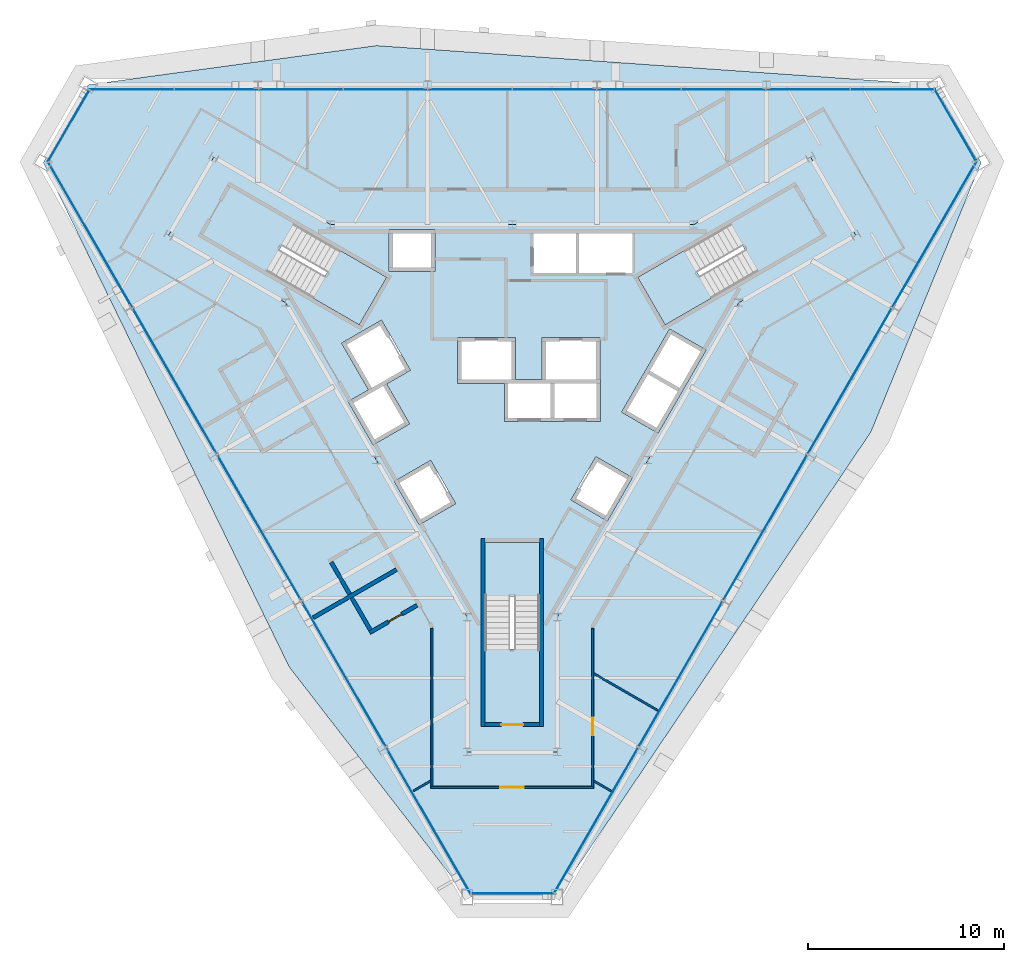
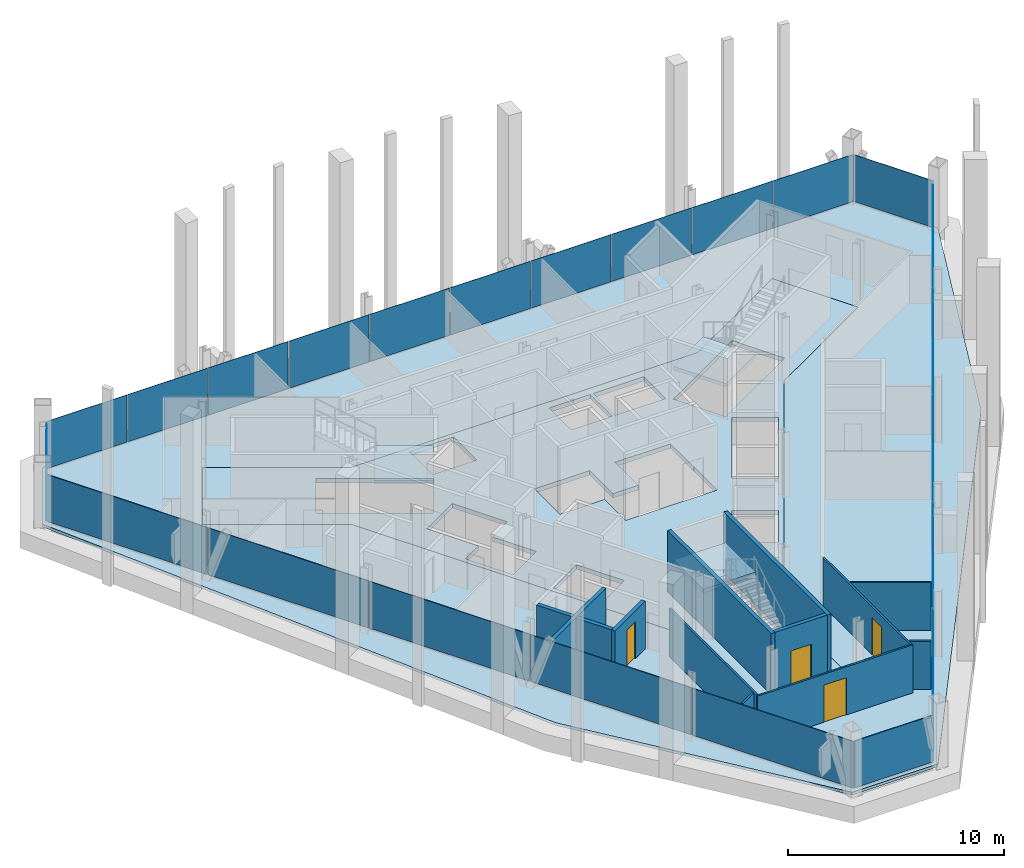
# One storey, part 8 of 14: 23 plates, 13 walls, 5 slabs, 4 doors, 4 openings, 9 elements without a shape of their own.
"""IFC4 building model written with IfcOpenShell, lengths in metres."""

from ifc_helpers import new_model, si_unit, direction, frame, frame_2d, origin, origin_2d, place, context, subcontext, project, spatial, polyline, rectangle, outline, extrude, material, layer, layer_set, type_object, element, fill, aggregate, save


model = new_model("IFC4")

# Units and contexts
model_context = context("Model", 3, precision=1e-05, world=origin(), true_north=direction((0.0, 1.0)))
body_context = subcontext(model_context, "Body", "Model", "MODEL_VIEW")
ifc_project = project(units=[si_unit("LENGTHUNIT", "METRE"), si_unit("AREAUNIT", "SQUARE_METRE"), si_unit("VOLUMEUNIT", "CUBIC_METRE"), si_unit("PLANEANGLEUNIT", "RADIAN"), si_unit("MASSUNIT", "GRAM", prefix="KILO")], contexts=[model_context])

# Site, building, storey
site_placement = place(None, origin())
site = spatial("IfcSite", under=ifc_project, at=site_placement, CompositionType="ELEMENT")
building_placement = place(site_placement, origin())
building = spatial("IfcBuilding", under=site, at=building_placement, Name="Verrane Prism Tower", CompositionType="ELEMENT")
storey_placement = place(building_placement, frame((0.0, 0.0, 206.39990234375)))
storey = spatial("IfcBuildingStorey", under=building, at=storey_placement, Name="L51", CompositionType="ELEMENT", Elevation=206.39990234375)

# Slabs
ifc_material_1 = material(Name="Concrete C35/45", Category="concrete")
ifc_layer_1 = layer(ifc_material_1, 0.159912109375)
ifc_layer_set_1 = layer_set([ifc_layer_1], Name="Composite floor slab")
slab_type_1 = type_object("IfcSlabType", Name="Composite floor slab", PredefinedType="FLOOR", material=ifc_layer_set_1)
slab_1_placement = place(storey_placement, frame((0.0, 0.0, -0.159912109375)))
element("IfcSlab", 1, at=slab_1_placement, inside=storey, type_object=slab_type_1, Name="Floor slab L51", PredefinedType="FLOOR", context=body_context, shape_type="SweptSolid", body=[
    extrude(outline(polyline([(18.294921875, -2.572509765625), (2.291015625, -26.2919921875), (-2.291015625, -26.2919921875), (-11.375244140625, -14.5576171875), (-23.914794921875, 11.161865234375), (-21.623779296875, 15.1298828125), (-6.919677734375, 17.1298828125), (21.623779296875, 15.1298828125), (23.914794921875, 11.161865234375), (18.294921875, -2.572509765625)]), holes=[polyline([(17.52001953125, 7.4599609375), (15.219970703125, 11.43994140625), (9.260009765625, 8.0), (0.0, 8.0), (-9.260009765625, 8.0), (-15.219970703125, 11.43994140625), (-17.52001953125, 7.4599609375), (-11.56005859375, 4.02001953125), (-6.929931640625, -4.0), (-2.300048828125, -12.02001953125), (-2.300048828125, -18.89990234375), (2.300048828125, -18.89990234375), (2.300048828125, -12.02001953125), (6.929931640625, -4.0), (11.56005859375, 4.02001953125), (17.52001953125, 7.4599609375)])]), origin(), (0.0, 0.0, 1.0), 0.159912109375),
])
ifc_material_2 = material(Name="Concrete C40/50", Category="concrete")
ifc_layer_2 = layer(ifc_material_2, 0.25)
ifc_layer_set_2 = layer_set([ifc_layer_2], Name="Core floor slab 250 concrete C40/50")
slab_type_2 = type_object("IfcSlabType", Name="Core floor slab 250 concrete C40/50", PredefinedType="FLOOR", material=ifc_layer_set_2)
slab_2_placement = place(storey_placement, frame((0.0, 0.0, -0.25)))
element("IfcSlab", 2, at=slab_2_placement, inside=storey, type_object=slab_type_2, Name="Core floor L51", PredefinedType="FLOOR", context=body_context, shape_type="SweptSolid", body=[
    extrude(outline(polyline([(11.56005859375, 4.02001953125), (17.52001953125, 7.4599609375), (15.219970703125, 11.43994140625), (9.260009765625, 8.0), (0.0, 8.0), (-9.260009765625, 8.0), (-15.219970703125, 11.43994140625), (-17.52001953125, 7.4599609375), (-11.56005859375, 4.02001953125), (-6.929931640625, -4.0), (-2.300048828125, -12.02001953125), (-2.300048828125, -18.89990234375), (2.300048828125, -18.89990234375), (2.300048828125, -12.02001953125), (6.929931640625, -4.0), (11.56005859375, 4.02001953125)]), holes=[polyline([(1.39990234375, -8.199951171875), (1.39990234375, -13.639892578125), (-1.39990234375, -13.639892578125), (-1.39990234375, -8.199951171875), (1.39990234375, -8.199951171875)]), polyline([(-2.881103515625, -6.22998046875), (-4.742919921875, -7.304931640625), (-6.01806640625, -5.096923828125), (-4.156005859375, -4.02197265625), (-2.881103515625, -6.22998046875)]), polyline([(-7.801025390625, 2.887939453125), (-12.512939453125, 5.60791015625), (-11.113037109375, 8.031982421875), (-6.40087890625, 5.31201171875), (-7.801025390625, 2.887939453125)]), polyline([(-6.284912109375, 5.610107421875), (-6.284912109375, 7.760009765625), (-3.93505859375, 7.760009765625), (-3.93505859375, 5.610107421875), (-6.284912109375, 5.610107421875)]), polyline([(4.26611328125, -3.8310546875), (6.1279296875, -4.906005859375), (4.85302734375, -7.114990234375), (2.990966796875, -6.0400390625), (4.26611328125, -3.8310546875)]), polyline([(7.43798828125, -2.636962890625), (5.575927734375, -1.56201171875), (8.02587890625, 2.680908203125), (9.887939453125, 1.60595703125), (7.43798828125, -2.636962890625)]), polyline([(0.1650390625, 0.10009765625), (1.52490234375, 0.10009765625), (1.52490234375, 2.25), (4.47509765625, 2.25), (4.47509765625, 0.10009765625), (4.4951171875, 0.10009765625), (4.4951171875, -2.050048828125), (-0.405029296875, -2.050048828125), (-0.405029296875, -0.10009765625), (-2.784912109375, -0.10009765625), (-2.784912109375, 2.25), (0.1650390625, 2.25), (0.1650390625, 0.10009765625)]), polyline([(6.40087890625, 5.31201171875), (11.113037109375, 8.031982421875), (12.512939453125, 5.60791015625), (7.801025390625, 2.887939453125), (6.40087890625, 5.31201171875)]), polyline([(1.074951171875, 5.534912109375), (1.074951171875, 7.56005859375), (3.264892578125, 7.56005859375), (3.264892578125, 5.534912109375), (1.074951171875, 5.534912109375)]), polyline([(3.4150390625, 7.56005859375), (6.125, 7.56005859375), (6.125, 5.534912109375), (3.4150390625, 5.534912109375), (3.4150390625, 7.56005859375)]), polyline([(-5.23095703125, -2.159912109375), (-7.093017578125, -3.235107421875), (-8.367919921875, -1.02587890625), (-7.3291015625, -0.426025390625), (-8.7041015625, 1.955078125), (-6.66796875, 3.1298828125), (-5.193115234375, 0.574951171875), (-6.406005859375, -0.125), (-5.23095703125, -2.159912109375)])]), origin(), (0.0, 0.0, 1.0), 0.25),
])

# Curtain wall, plates
ifc_material_3 = material(Name="Aluminium framed insulated glazing", Category="aluminium")
curtain_wall_type_1 = type_object("IfcCurtainWallType", Name="Curtain wall CW-C 4200 module", PredefinedType="NOTDEFINED", material=ifc_material_3)
curtain_wall_1_placement = place(storey_placement, origin())
curtain_wall_1 = element("IfcCurtainWall", 3, at=curtain_wall_1_placement, inside=storey, type_object=curtain_wall_type_1, Name="Glazed curtain wall north face L51", PredefinedType="NOTDEFINED")
ifc_material_4 = material(Name="Low-iron insulating glass unit", Category="glass")
ifc_layer_3 = layer(ifc_material_4, 0.02392578125)
ifc_layer_set_3 = layer_set([ifc_layer_3], Name="Glazing panel IGU 24")
plate_type_1 = type_object("IfcPlateType", Name="Glazing panel IGU 24", PredefinedType="CURTAIN_PANEL", material=ifc_layer_set_3)
plate_1_placement = place(storey_placement, frame((19.38330078125, 14.90185546875, 0.05029296875), z_axis=(0.0, 0.0, 1.0), x_axis=(-1.0, 0.0, 0.0)))
plate_1 = element("IfcPlate", 4, at=plate_1_placement, type_object=plate_type_1, Name="CW51.2 panel 1", PredefinedType="CURTAIN_PANEL", context=body_context, shape_type="SweptSolid", body=[
    extrude(rectangle(XDim=4.235107421875, YDim=0.02392578125, at=origin_2d()), origin(), (0.0, 0.0, 1.0), 2.662841796875),
])
plate_2_placement = place(storey_placement, frame((15.08544921875, 14.90185546875, 0.05029296875), z_axis=(0.0, 0.0, 1.0), x_axis=(-1.0, 0.0, 0.0)))
plate_2 = element("IfcPlate", 5, at=plate_2_placement, type_object=plate_type_1, Name="CW51.2 panel 2", PredefinedType="CURTAIN_PANEL", context=body_context, shape_type="SweptSolid", body=[
    extrude(rectangle(XDim=4.26025390625, YDim=0.02392578125, at=origin_2d()), origin(), (0.0, 0.0, 1.0), 2.662841796875),
])
plate_3_placement = place(storey_placement, frame((10.775390625, 14.90185546875, 0.05029296875), z_axis=(0.0, 0.0, 1.0), x_axis=(-1.0, 0.0, 0.0)))
plate_3 = element("IfcPlate", 6, at=plate_3_placement, type_object=plate_type_1, Name="CW51.2 panel 3", PredefinedType="CURTAIN_PANEL", context=body_context, shape_type="SweptSolid", body=[
    extrude(rectangle(XDim=4.26025390625, YDim=0.02392578125, at=origin_2d()), origin(), (0.0, 0.0, 1.0), 2.662841796875),
])
plate_4_placement = place(storey_placement, frame((6.46533203125, 14.90185546875, 0.05029296875), z_axis=(0.0, 0.0, 1.0), x_axis=(-1.0, 0.0, 0.0)))
plate_4 = element("IfcPlate", 7, at=plate_4_placement, type_object=plate_type_1, Name="CW51.2 panel 4", PredefinedType="CURTAIN_PANEL", context=body_context, shape_type="SweptSolid", body=[
    extrude(rectangle(XDim=4.26025390625, YDim=0.02392578125, at=origin_2d()), origin(), (0.0, 0.0, 1.0), 2.662841796875),
])
plate_5_placement = place(storey_placement, frame((2.155029296875, 14.90185546875, 0.05029296875), z_axis=(0.0, 0.0, 1.0), x_axis=(-1.0, 0.0, 0.0)))
plate_5 = element("IfcPlate", 8, at=plate_5_placement, type_object=plate_type_1, Name="CW51.2 panel 5", PredefinedType="CURTAIN_PANEL", context=body_context, shape_type="SweptSolid", body=[
    extrude(rectangle(XDim=4.26025390625, YDim=0.02392578125, at=origin_2d()), origin(), (0.0, 0.0, 1.0), 2.662841796875),
])
plate_6_placement = place(storey_placement, frame((-2.155029296875, 14.90185546875, 0.05029296875), z_axis=(0.0, 0.0, 1.0), x_axis=(-1.0, 0.0, 0.0)))
plate_6 = element("IfcPlate", 9, at=plate_6_placement, type_object=plate_type_1, Name="CW51.2 panel 6", PredefinedType="CURTAIN_PANEL", context=body_context, shape_type="SweptSolid", body=[
    extrude(rectangle(XDim=4.26025390625, YDim=0.02392578125, at=origin_2d()), origin(), (0.0, 0.0, 1.0), 2.662841796875),
])
plate_7_placement = place(storey_placement, frame((-6.46533203125, 14.90185546875, 0.05029296875), z_axis=(0.0, 0.0, 1.0), x_axis=(-1.0, 0.0, 0.0)))
plate_7 = element("IfcPlate", 10, at=plate_7_placement, type_object=plate_type_1, Name="CW51.2 panel 7", PredefinedType="CURTAIN_PANEL", context=body_context, shape_type="SweptSolid", body=[
    extrude(rectangle(XDim=4.26025390625, YDim=0.02392578125, at=origin_2d()), origin(), (0.0, 0.0, 1.0), 2.662841796875),
])
plate_8_placement = place(storey_placement, frame((-10.775390625, 14.90185546875, 0.05029296875), z_axis=(0.0, 0.0, 1.0), x_axis=(-1.0, 0.0, 0.0)))
plate_8 = element("IfcPlate", 11, at=plate_8_placement, type_object=plate_type_1, Name="CW51.2 panel 8", PredefinedType="CURTAIN_PANEL", context=body_context, shape_type="SweptSolid", body=[
    extrude(rectangle(XDim=4.26025390625, YDim=0.02392578125, at=origin_2d()), origin(), (0.0, 0.0, 1.0), 2.662841796875),
])
plate_9_placement = place(storey_placement, frame((-15.08544921875, 14.90185546875, 0.05029296875), z_axis=(0.0, 0.0, 1.0), x_axis=(-1.0, 0.0, 0.0)))
plate_9 = element("IfcPlate", 12, at=plate_9_placement, type_object=plate_type_1, Name="CW51.2 panel 9", PredefinedType="CURTAIN_PANEL", context=body_context, shape_type="SweptSolid", body=[
    extrude(rectangle(XDim=4.26025390625, YDim=0.02392578125, at=origin_2d()), origin(), (0.0, 0.0, 1.0), 2.662841796875),
])
plate_10_placement = place(storey_placement, frame((-19.408203125, 14.90185546875, 0.05029296875), z_axis=(0.0, 0.0, 1.0), x_axis=(-1.0, 0.0, 0.0)))
plate_10 = element("IfcPlate", 13, at=plate_10_placement, type_object=plate_type_1, Name="CW51.2 panel 10", PredefinedType="CURTAIN_PANEL", context=body_context, shape_type="SweptSolid", body=[
    extrude(rectangle(XDim=4.28515625, YDim=0.02392578125, at=origin_2d()), origin(), (0.0, 0.0, 1.0), 2.662841796875),
])
aggregate(curtain_wall_1, [plate_1, plate_2, plate_3, plate_4, plate_5, plate_6, plate_7, plate_8, plate_9, plate_10])

# Curtain wall, plate
ifc_material_5 = material(Name="Aluminium framed insulated glazing", Category="aluminium")
curtain_wall_type_2 = type_object("IfcCurtainWallType", Name="Curtain wall CW-A 8400 module", PredefinedType="NOTDEFINED", material=ifc_material_5)
curtain_wall_2_placement = place(storey_placement, origin())
curtain_wall_2 = element("IfcCurtainWall", 14, at=curtain_wall_2_placement, inside=storey, type_object=curtain_wall_type_2, Name="Glazed curtain wall north-east corner L51", PredefinedType="NOTDEFINED")
ifc_material_6 = material(Name="Low-iron insulating glass unit", Category="glass")
ifc_layer_4 = layer(ifc_material_6, 0.031982421875)
ifc_layer_set_4 = layer_set([ifc_layer_4], Name="Glazing panel IGU 32")
plate_type_2 = type_object("IfcPlateType", Name="Glazing panel IGU 32", PredefinedType="CURTAIN_PANEL", material=ifc_layer_set_4)
plate_11_placement = place(storey_placement, frame((22.59814453125, 13.087646484375, 0.0703125), z_axis=(0.0, 0.0, 1.0), x_axis=(-0.49999949327, 0.866025696345, 0.0)))
plate_11 = element("IfcPlate", 15, at=plate_11_placement, type_object=plate_type_2, Name="CW51.1 panel 1", PredefinedType="CURTAIN_PANEL", context=body_context, shape_type="SweptSolid", body=[
    extrude(rectangle(XDim=4.189697265625, YDim=0.031982421875, at=origin_2d()), origin(), (0.0, 0.0, 1.0), 2.642822265625),
])
aggregate(curtain_wall_2, [plate_11])

curtain_wall_3_placement = place(storey_placement, origin())
curtain_wall_3 = element("IfcCurtainWall", 16, at=curtain_wall_3_placement, inside=storey, type_object=curtain_wall_type_2, Name="Glazed curtain wall north-west corner L51", PredefinedType="NOTDEFINED")
plate_12_placement = place(storey_placement, frame((-22.63330078125, 13.02685546875, 0.0703125), z_axis=(0.0, 0.0, 1.0), x_axis=(-0.49999949327, -0.866025696345, 0.0)))
plate_12 = element("IfcPlate", 17, at=plate_12_placement, type_object=plate_type_2, Name="CW51.3 panel 1", PredefinedType="CURTAIN_PANEL", context=body_context, shape_type="SweptSolid", body=[
    extrude(rectangle(XDim=4.189697265625, YDim=0.031982421875, at=origin_2d()), origin(), (0.0, 0.0, 1.0), 2.642822265625),
])
aggregate(curtain_wall_3, [plate_12])

# Curtain wall, plates
curtain_wall_4_placement = place(storey_placement, origin())
curtain_wall_4 = element("IfcCurtainWall", 18, at=curtain_wall_4_placement, inside=storey, type_object=curtain_wall_type_2, Name="Glazed curtain wall south-west face L51", PredefinedType="NOTDEFINED")
plate_13_placement = place(storey_placement, frame((-21.516845703125, 7.46484375, 0.0703125), z_axis=(0.0, 0.0, 1.0), x_axis=(0.499998799899, -0.866026096662, 0.0)))
plate_13 = element("IfcPlate", 19, at=plate_13_placement, type_object=plate_type_2, Name="CW51.4 panel 1", PredefinedType="CURTAIN_PANEL", context=body_context, shape_type="SweptSolid", body=[
    extrude(rectangle(XDim=8.515380859375, YDim=0.031982421875, at=origin_2d()), origin(), (0.0, 0.0, 1.0), 2.642822265625),
])
plate_14_placement = place(storey_placement, frame((-17.215576171875, 0.0146484375, 0.0703125), z_axis=(0.0, 0.0, 1.0), x_axis=(0.499998799899, -0.866026096662, 0.0)))
plate_14 = element("IfcPlate", 20, at=plate_14_placement, type_object=plate_type_2, Name="CW51.4 panel 2", PredefinedType="CURTAIN_PANEL", context=body_context, shape_type="SweptSolid", body=[
    extrude(rectangle(XDim=8.55029296875, YDim=0.031982421875, at=origin_2d()), origin(), (0.0, 0.0, 1.0), 2.642822265625),
])
plate_15_placement = place(storey_placement, frame((-12.9052734375, -7.450927734375, 0.0703125), z_axis=(0.0, 0.0, 1.0), x_axis=(0.499998799899, -0.866026096662, 0.0)))
plate_15 = element("IfcPlate", 21, at=plate_15_placement, type_object=plate_type_2, Name="CW51.4 panel 3", PredefinedType="CURTAIN_PANEL", context=body_context, shape_type="SweptSolid", body=[
    extrude(rectangle(XDim=8.55029296875, YDim=0.031982421875, at=origin_2d()), origin(), (0.0, 0.0, 1.0), 2.642822265625),
])
plate_16_placement = place(storey_placement, frame((-8.59521484375, -14.916259765625, 0.0703125), z_axis=(0.0, 0.0, 1.0), x_axis=(0.499998799899, -0.866026096662, 0.0)))
plate_16 = element("IfcPlate", 22, at=plate_16_placement, type_object=plate_type_2, Name="CW51.4 panel 4", PredefinedType="CURTAIN_PANEL", context=body_context, shape_type="SweptSolid", body=[
    extrude(rectangle(XDim=8.55029296875, YDim=0.031982421875, at=origin_2d()), origin(), (0.0, 0.0, 1.0), 2.642822265625),
])
plate_17_placement = place(storey_placement, frame((-4.276123046875, -22.39697265625, 0.0703125), z_axis=(0.0, 0.0, 1.0), x_axis=(0.499998799899, -0.866026096662, 0.0)))
plate_17 = element("IfcPlate", 23, at=plate_17_placement, type_object=plate_type_2, Name="CW51.4 panel 5", PredefinedType="CURTAIN_PANEL", context=body_context, shape_type="SweptSolid", body=[
    extrude(rectangle(XDim=8.58544921875, YDim=0.031982421875, at=origin_2d()), origin(), (0.0, 0.0, 1.0), 2.642822265625),
])
aggregate(curtain_wall_4, [plate_13, plate_14, plate_15, plate_16, plate_17])

# Curtain wall, plate
curtain_wall_5_placement = place(storey_placement, origin())
curtain_wall_5 = element("IfcCurtainWall", 24, at=curtain_wall_5_placement, inside=storey, type_object=curtain_wall_type_2, Name="Glazed curtain wall south corner L51", PredefinedType="NOTDEFINED")
plate_18_placement = place(storey_placement, frame((0.034912109375, -26.114501953125, 0.0703125), z_axis=(0.0, 0.0, 1.0), x_axis=(1.0, 0.0, 0.0)))
plate_18 = element("IfcPlate", 25, at=plate_18_placement, type_object=plate_type_2, Name="CW51.5 panel 1", PredefinedType="CURTAIN_PANEL", context=body_context, shape_type="SweptSolid", body=[
    extrude(rectangle(XDim=4.189697265625, YDim=0.031982421875, at=origin_2d()), origin(), (0.0, 0.0, 1.0), 2.642822265625),
])
aggregate(curtain_wall_5, [plate_18])

# Curtain wall, plates
curtain_wall_6_placement = place(storey_placement, origin())
curtain_wall_6 = element("IfcCurtainWall", 26, at=curtain_wall_6_placement, inside=storey, type_object=curtain_wall_type_2, Name="Glazed curtain wall south-east face L51", PredefinedType="NOTDEFINED")
plate_19_placement = place(storey_placement, frame((4.293701171875, -22.36669921875, 0.0703125), z_axis=(0.0, 0.0, 1.0), x_axis=(0.499998799899, 0.866026096662, 0.0)))
plate_19 = element("IfcPlate", 27, at=plate_19_placement, type_object=plate_type_2, Name="CW51.6 panel 1", PredefinedType="CURTAIN_PANEL", context=body_context, shape_type="SweptSolid", body=[
    extrude(rectangle(XDim=8.515380859375, YDim=0.031982421875, at=origin_2d()), origin(), (0.0, 0.0, 1.0), 2.642822265625),
])
plate_20_placement = place(storey_placement, frame((8.59521484375, -14.916259765625, 0.0703125), z_axis=(0.0, 0.0, 1.0), x_axis=(0.499998799899, 0.866026096662, 0.0)))
plate_20 = element("IfcPlate", 28, at=plate_20_placement, type_object=plate_type_2, Name="CW51.6 panel 2", PredefinedType="CURTAIN_PANEL", context=body_context, shape_type="SweptSolid", body=[
    extrude(rectangle(XDim=8.55029296875, YDim=0.031982421875, at=origin_2d()), origin(), (0.0, 0.0, 1.0), 2.642822265625),
])
plate_21_placement = place(storey_placement, frame((12.9052734375, -7.450927734375, 0.0703125), z_axis=(0.0, 0.0, 1.0), x_axis=(0.499998799899, 0.866026096662, 0.0)))
plate_21 = element("IfcPlate", 29, at=plate_21_placement, type_object=plate_type_2, Name="CW51.6 panel 3", PredefinedType="CURTAIN_PANEL", context=body_context, shape_type="SweptSolid", body=[
    extrude(rectangle(XDim=8.55029296875, YDim=0.031982421875, at=origin_2d()), origin(), (0.0, 0.0, 1.0), 2.642822265625),
])
plate_22_placement = place(storey_placement, frame((17.215576171875, 0.0146484375, 0.0703125), z_axis=(0.0, 0.0, 1.0), x_axis=(0.499998799899, 0.866026096662, 0.0)))
plate_22 = element("IfcPlate", 30, at=plate_22_placement, type_object=plate_type_2, Name="CW51.6 panel 4", PredefinedType="CURTAIN_PANEL", context=body_context, shape_type="SweptSolid", body=[
    extrude(rectangle(XDim=8.55029296875, YDim=0.031982421875, at=origin_2d()), origin(), (0.0, 0.0, 1.0), 2.642822265625),
])
plate_23_placement = place(storey_placement, frame((21.534423828125, 7.4951171875, 0.0703125), z_axis=(0.0, 0.0, 1.0), x_axis=(0.499998799899, 0.866026096662, 0.0)))
plate_23 = element("IfcPlate", 31, at=plate_23_placement, type_object=plate_type_2, Name="CW51.6 panel 5", PredefinedType="CURTAIN_PANEL", context=body_context, shape_type="SweptSolid", body=[
    extrude(rectangle(XDim=8.58544921875, YDim=0.031982421875, at=origin_2d()), origin(), (0.0, 0.0, 1.0), 2.642822265625),
])
aggregate(curtain_wall_6, [plate_19, plate_20, plate_21, plate_22, plate_23])

# Stair, slab
ifc_material_7 = material(Name="Concrete C40/50", Category="concrete")
stair_type = type_object("IfcStairType", Name="Exit stair 1300 dog-leg precast concrete C40/50", PredefinedType="HALF_TURN_STAIR", material=ifc_material_7)
stair_1_placement = place(storey_placement, origin())
stair_1 = element("IfcStair", 32, at=stair_1_placement, inside=storey, type_object=stair_type, Name="Stair 1 L51", PredefinedType="HALF_TURN_STAIR")
ifc_material_8 = material(Name="Concrete C40/50", Category="concrete")
ifc_layer_5 = layer(ifc_material_8, 0.199951171875)
ifc_layer_set_5 = layer_set([ifc_layer_5], Name="Stair landing 200 precast concrete C40/50")
slab_type_3 = type_object("IfcSlabType", Name="Stair landing 200 precast concrete C40/50", PredefinedType="LANDING", material=ifc_layer_set_5)
slab_3_placement = place(storey_placement, frame((0.0, 0.0, 1.650146484375)))
slab_3 = element("IfcSlab", 33, at=slab_3_placement, type_object=slab_type_3, Name="Stair 1 landing 1", PredefinedType="LANDING", context=body_context, shape_type="SweptSolid", body=[
    extrude(outline(polyline([(8.791748046875, 6.6923828125), (6.4013671875, 5.3125), (7.801513671875, 2.887451171875), (10.191650390625, 4.267578125), (8.791748046875, 6.6923828125)])), origin(), (0.0, 0.0, 1.0), 0.199951171875),
])
aggregate(stair_1, [slab_3])

stair_2_placement = place(storey_placement, origin())
stair_2 = element("IfcStair", 34, at=stair_2_placement, inside=storey, type_object=stair_type, Name="Stair 2 L51", PredefinedType="HALF_TURN_STAIR")
slab_4_placement = place(storey_placement, frame((0.0, 0.0, 1.650146484375)))
slab_4 = element("IfcSlab", 35, at=slab_4_placement, type_object=slab_type_3, Name="Stair 2 landing 1", PredefinedType="LANDING", context=body_context, shape_type="SweptSolid", body=[
    extrude(outline(polyline([(-10.191650390625, 4.267578125), (-7.801513671875, 2.887451171875), (-6.4013671875, 5.3125), (-8.791748046875, 6.6923828125), (-10.191650390625, 4.267578125)])), origin(), (0.0, 0.0, 1.0), 0.199951171875),
])
aggregate(stair_2, [slab_4])

stair_3_placement = place(storey_placement, origin())
stair_3 = element("IfcStair", 36, at=stair_3_placement, inside=storey, type_object=stair_type, Name="Stair 3 L51", PredefinedType="HALF_TURN_STAIR")
slab_5_placement = place(storey_placement, frame((0.0, 0.0, 1.650146484375)))
slab_5 = element("IfcSlab", 37, at=slab_5_placement, type_object=slab_type_3, Name="Stair 3 landing 1", PredefinedType="LANDING", context=body_context, shape_type="SweptSolid", body=[
    extrude(outline(polyline([(1.39990234375, -10.9599609375), (1.39990234375, -8.199951171875), (-1.39990234375, -8.199951171875), (-1.39990234375, -10.9599609375), (1.39990234375, -10.9599609375)])), origin(), (0.0, 0.0, 1.0), 0.199951171875),
])
aggregate(stair_3, [slab_5])

# Wall, opening, door
ifc_material_9 = material(Name="Concrete C40/50", Category="concrete")
ifc_layer_6 = layer(ifc_material_9, 0.199951171875)
ifc_layer_set_6 = layer_set([ifc_layer_6], Name="CW-200 stair core wall concrete C40/50 3 h")
wall_type_1 = type_object("IfcWallType", Name="CW-200 stair core wall concrete C40/50 3 h", PredefinedType="PARTITIONING", material=ifc_layer_set_6)
wall_1_placement = place(storey_placement, frame((-1.39990234375, -17.5, 0.0), z_axis=(0.0, 0.0, 1.0), x_axis=(1.0, 0.0, 0.0)))
wall_1 = element("IfcWall", 38, at=wall_1_placement, inside=storey, type_object=wall_type_1, Name="Stair 3 enclosure wall", PredefinedType="PARTITIONING", context=body_context, shape_type="SweptSolid", body=[
    extrude(rectangle(XDim=2.7998046875, YDim=0.199951171875, at=frame_2d((1.39990234375, 0.0))), origin(), (0.0, 0.0, 1.0), 3.4501953125),
])
opening_1_placement = place(wall_1_placement, frame((0.85009765625, 0.0, 0.0)))
opening_1 = element("IfcOpeningElement", 39, at=opening_1_placement, cuts=wall_1, Name="Opening D51502", PredefinedType="OPENING", context=body_context, shape_type="SweptSolid", body=[
    extrude(rectangle(XDim=1.10009765625, YDim=2.10009765625, at=frame_2d((0.550048828125, 1.050048828125))), frame((0.0, 0.10986328125, 0.0), z_axis=(0.0, -1.0, 0.0), x_axis=(1.0, 0.0, 0.0)), (0.0, 0.0, 1.0), 0.219970703125),
])
ifc_material_10 = material(Name="Timber veneered door leaf", Category="wood")
door_type_1 = type_object("IfcDoorType", Name="DR-1100x2100 FD90 single leaf stair", OperationType="NOTDEFINED", PredefinedType="DOOR", material=ifc_material_10)
door_1_placement = place(opening_1_placement, origin())
door_1 = element("IfcDoor", 40, at=door_1_placement, inside=storey, type_object=door_type_1, Name="Stair 3 door", OperationType="SINGLE_SWING_LEFT", OverallHeight=2.10009765625, OverallWidth=1.10009765625, PredefinedType="DOOR", context=body_context, shape_type="SweptSolid", body=[
    extrude(rectangle(XDim=1.10009765625, YDim=2.10009765625, at=frame_2d((0.550048828125, 1.050048828125))), frame((0.0, 0.02490234375, 0.0), z_axis=(0.0, -1.0, 0.0), x_axis=(1.0, 0.0, 0.0)), (0.0, 0.0, 1.0), 0.050048828125),
])
fill(opening_1, door_1)

# Walls
for number, where, z_axis, x_axis, name in (
    (41, (1.5, -8.0, 0.0), (0.0, 0.0, 1.0), (0.0, -1.0, 0.0), "Stair 3 enclosure wall"),
    (42, (-1.5, -8.0, 0.0), (0.0, 0.0, 1.0), (0.0, -1.0, 0.0), "Stair 3 enclosure wall"),
):
    element("IfcWall", number, at=place(storey_placement, frame(where, z_axis=z_axis, x_axis=x_axis)), inside=storey, type_object=wall_type_1, Name=name, PredefinedType="PARTITIONING", context=body_context, shape_type="SweptSolid", body=[
        extrude(rectangle(XDim=9.60009765625, YDim=0.199951171875, at=frame_2d((4.800048828125, 0.0))), origin(), (0.0, 0.0, 1.0), 3.4501953125),
    ])
ifc_material_11 = material(Name="Gypsum board partition", Category="other")
ifc_layer_7 = layer(ifc_material_11, 0.10009765625)
ifc_layer_set_7 = layer_set([ifc_layer_7], Name="PW-100 room partition")
wall_type_2 = type_object("IfcWallType", Name="PW-100 room partition", PredefinedType="PARTITIONING", material=ifc_layer_set_7)
wall_2_placement = place(storey_placement, frame((-5.039794921875, -20.882080078125, 0.0), z_axis=(0.0, 0.0, 1.0), x_axis=(0.866234439787, 0.499637764112, 0.0)))
element("IfcWall", 43, at=wall_2_placement, inside=storey, type_object=wall_type_2, Name="Room partition 021", PredefinedType="PARTITIONING", context=body_context, shape_type="SweptSolid", body=[
    extrude(rectangle(XDim=0.998291015625, YDim=0.10009765625, at=frame_2d((0.4990234375, 0.0))), origin(), (0.0, 0.0, 1.0), 2.713134765625),
])
wall_3_placement = place(storey_placement, frame((-4.10009765625, -20.64990234375, 0.0), z_axis=(0.0, 0.0, 1.0), x_axis=(0.0, 1.0, 0.0)))
element("IfcWall", 44, at=wall_3_placement, inside=storey, type_object=wall_type_2, Name="Room partition 022", PredefinedType="PARTITIONING", context=body_context, shape_type="SweptSolid", body=[
    extrude(rectangle(XDim=8.06298828125, YDim=0.10009765625, at=frame_2d((4.031494140625, 0.0))), origin(), (0.0, 0.0, 1.0), 2.713134765625),
])

# Wall, opening, door
wall_4_placement = place(storey_placement, frame((4.14990234375, -20.699951171875, 0.0), z_axis=(0.0, 0.0, 1.0), x_axis=(-1.0, 0.0, 0.0)))
wall_4 = element("IfcWall", 45, at=wall_4_placement, inside=storey, type_object=wall_type_2, Name="Room partition 023", PredefinedType="PARTITIONING", context=body_context, shape_type="SweptSolid", body=[
    extrude(rectangle(XDim=8.2998046875, YDim=0.10009765625, at=frame_2d((4.14990234375, 0.0))), origin(), (0.0, 0.0, 1.0), 2.713134765625),
])
opening_2_placement = place(wall_4_placement, frame((3.550048828125, 0.0, 0.0)))
opening_2 = element("IfcOpeningElement", 46, at=opening_2_placement, cuts=wall_4, Name="Opening D51023", PredefinedType="OPENING", context=body_context, shape_type="SweptSolid", body=[
    extrude(rectangle(XDim=1.199951171875, YDim=2.10009765625, at=frame_2d((0.60009765625, 1.050048828125))), frame((0.0, 0.06005859375, 0.0), z_axis=(0.0, -1.0, 0.0), x_axis=(1.0, 0.0, 0.0)), (0.0, 0.0, 1.0), 0.1201171875),
])
ifc_material_12 = material(Name="Timber veneered door leaf", Category="wood")
door_type_2 = type_object("IfcDoorType", Name="DR-1200x2100 single leaf unit", OperationType="NOTDEFINED", PredefinedType="DOOR", material=ifc_material_12)
door_2_placement = place(opening_2_placement, origin())
door_2 = element("IfcDoor", 47, at=door_2_placement, inside=storey, type_object=door_type_2, Name="Living And Dining Room door", OperationType="SINGLE_SWING_RIGHT", OverallHeight=2.10009765625, OverallWidth=1.199951171875, PredefinedType="DOOR", context=body_context, shape_type="SweptSolid", body=[
    extrude(rectangle(XDim=1.199951171875, YDim=2.10009765625, at=frame_2d((0.60009765625, 1.050048828125))), frame((0.0, 0.02490234375, 0.0), z_axis=(0.0, -1.0, 0.0), x_axis=(1.0, 0.0, 0.0)), (0.0, 0.0, 1.0), 0.050048828125),
])
fill(opening_2, door_2)

wall_5_placement = place(storey_placement, frame((4.10009765625, -12.5869140625, 0.0), z_axis=(0.0, 0.0, 1.0), x_axis=(0.0, -1.0, 0.0)))
wall_5 = element("IfcWall", 48, at=wall_5_placement, inside=storey, type_object=wall_type_2, Name="Room partition 025", PredefinedType="PARTITIONING", context=body_context, shape_type="SweptSolid", body=[
    extrude(rectangle(XDim=8.06298828125, YDim=0.10009765625, at=frame_2d((4.031494140625, 0.0))), origin(), (0.0, 0.0, 1.0), 2.713134765625),
])
opening_3_placement = place(wall_5_placement, frame((4.552978515625, 0.0, 0.0)))
opening_3 = element("IfcOpeningElement", 49, at=opening_3_placement, cuts=wall_5, Name="Opening D51001", PredefinedType="OPENING", context=body_context, shape_type="SweptSolid", body=[
    extrude(rectangle(XDim=0.89990234375, YDim=2.10009765625, at=frame_2d((0.449951171875, 1.050048828125))), frame((0.0, 0.06005859375, 0.0), z_axis=(0.0, -1.0, 0.0), x_axis=(1.0, 0.0, 0.0)), (0.0, 0.0, 1.0), 0.1201171875),
])
ifc_material_13 = material(Name="Timber veneered door leaf", Category="wood")
door_type_3 = type_object("IfcDoorType", Name="DR-900x2100 single leaf unit", OperationType="NOTDEFINED", PredefinedType="DOOR", material=ifc_material_13)
door_3_placement = place(opening_3_placement, origin())
door_3 = element("IfcDoor", 50, at=door_3_placement, inside=storey, type_object=door_type_3, Name="Kitchen door", OperationType="SINGLE_SWING_RIGHT", OverallHeight=2.10009765625, OverallWidth=0.89990234375, PredefinedType="DOOR", context=body_context, shape_type="SweptSolid", body=[
    extrude(rectangle(XDim=0.89990234375, YDim=2.10009765625, at=frame_2d((0.449951171875, 1.050048828125))), frame((0.0, 0.02490234375, 0.0), z_axis=(0.0, -1.0, 0.0), x_axis=(1.0, 0.0, 0.0)), (0.0, 0.0, 1.0), 0.050048828125),
])
fill(opening_3, door_3)

# Walls
wall_6_placement = place(storey_placement, frame((4.175048828125, -20.38330078125, 0.0), z_axis=(0.0, 0.0, 1.0), x_axis=(0.866234439787, -0.499637764112, 0.0)))
element("IfcWall", 51, at=wall_6_placement, inside=storey, type_object=wall_type_2, Name="Room partition 026", PredefinedType="PARTITIONING", context=body_context, shape_type="SweptSolid", body=[
    extrude(rectangle(XDim=0.998291015625, YDim=0.10009765625, at=frame_2d((0.4990234375, 0.0))), origin(), (0.0, 0.0, 1.0), 2.713134765625),
])
wall_7_placement = place(storey_placement, frame((4.175048828125, -14.900390625, 0.0), z_axis=(0.0, 0.0, 1.0), x_axis=(0.866057308191, -0.499944735875, 0.0)))
element("IfcWall", 52, at=wall_7_placement, inside=storey, type_object=wall_type_2, Name="Room partition 027", PredefinedType="PARTITIONING", context=body_context, shape_type="SweptSolid", body=[
    extrude(rectangle(XDim=3.73974609375, YDim=0.10009765625, at=frame_2d((1.869873046875, 0.0))), origin(), (0.0, 0.0, 1.0), 2.713134765625),
])
ifc_material_14 = material(Name="Gypsum board partition", Category="other")
ifc_layer_8 = layer(ifc_material_14, 0.199951171875)
ifc_layer_set_8 = layer_set([ifc_layer_8], Name="PW-200 plumbing wall")
wall_type_3 = type_object("IfcWallType", Name="PW-200 plumbing wall", PredefinedType="PARTITIONING", material=ifc_layer_set_8)
wall_8_placement = place(storey_placement, frame((-10.142822265625, -12.04296875, 0.0), z_axis=(0.0, 0.0, 1.0), x_axis=(0.866136679459, 0.49980721533, 0.0)))
element("IfcWall", 53, at=wall_8_placement, inside=storey, type_object=wall_type_3, Name="Plumbing wall 014", PredefinedType="PARTITIONING", context=body_context, shape_type="SweptSolid", body=[
    extrude(rectangle(XDim=4.90380859375, YDim=0.199951171875, at=frame_2d((2.451904296875, 0.0))), origin(), (0.0, 0.0, 1.0), 2.713134765625),
])
wall_9_placement = place(storey_placement, frame((-9.23388671875, -9.209716796875, 0.0), z_axis=(0.0, 0.0, 1.0), x_axis=(0.499949193323, -0.866054735046, 0.0)))
element("IfcWall", 54, at=wall_9_placement, inside=storey, type_object=wall_type_3, Name="Plumbing wall 015", PredefinedType="PARTITIONING", context=body_context, shape_type="SweptSolid", body=[
    extrude(rectangle(XDim=1.895263671875, YDim=0.199951171875, at=frame_2d((0.94775390625, 0.0))), origin(), (0.0, 0.0, 1.0), 2.713134765625),
])
wall_10_placement = place(storey_placement, frame((-8.18408203125, -11.028564453125, 0.0), z_axis=(0.0, 0.0, 1.0), x_axis=(0.500134112126, -0.865947960265, 0.0)))
element("IfcWall", 55, at=wall_10_placement, inside=storey, type_object=wall_type_3, Name="Plumbing wall 018", PredefinedType="PARTITIONING", context=body_context, shape_type="SweptSolid", body=[
    extrude(rectangle(XDim=1.8994140625, YDim=0.199951171875, at=frame_2d((0.94970703125, 0.0))), origin(), (0.0, 0.0, 1.0), 2.713134765625),
])

# Wall, opening, door
wall_11_placement = place(storey_placement, frame((-7.2705078125, -12.81005859375, 0.0), z_axis=(0.0, 0.0, 1.0), x_axis=(0.866041588165, 0.499971966783, 0.0)))
wall_11 = element("IfcWall", 56, at=wall_11_placement, inside=storey, type_object=wall_type_3, Name="Plumbing wall 019", PredefinedType="PARTITIONING", context=body_context, shape_type="SweptSolid", body=[
    extrude(rectangle(XDim=2.795166015625, YDim=0.199951171875, at=frame_2d((1.3974609375, 0.0))), origin(), (0.0, 0.0, 1.0), 2.713134765625),
])
opening_4_placement = place(wall_11_placement, frame((1.10009765625, 0.0, 0.0)))
opening_4 = element("IfcOpeningElement", 57, at=opening_4_placement, cuts=wall_11, Name="Opening D51022", PredefinedType="OPENING", context=body_context, shape_type="SweptSolid", body=[
    extrude(rectangle(XDim=0.800048828125, YDim=2.10009765625, at=frame_2d((0.39990234375, 1.050048828125))), frame((0.0, 0.10986328125, 0.0), z_axis=(0.0, -1.0, 0.0), x_axis=(1.0, 0.0, 0.0)), (0.0, 0.0, 1.0), 0.219970703125),
])
ifc_material_15 = material(Name="Timber veneered door leaf", Category="wood")
door_type_4 = type_object("IfcDoorType", Name="DR-800x2100 single leaf bath", OperationType="NOTDEFINED", PredefinedType="DOOR", material=ifc_material_15)
door_4_placement = place(opening_4_placement, origin())
door_4 = element("IfcDoor", 58, at=door_4_placement, inside=storey, type_object=door_type_4, Name="Bathroom door", OperationType="SINGLE_SWING_RIGHT", OverallHeight=2.10009765625, OverallWidth=0.800048828125, PredefinedType="DOOR", context=body_context, shape_type="SweptSolid", body=[
    extrude(rectangle(XDim=0.800048828125, YDim=2.10009765625, at=frame_2d((0.39990234375, 1.050048828125))), frame((0.0, 0.02490234375, 0.0), z_axis=(0.0, -1.0, 0.0), x_axis=(1.0, 0.0, 0.0)), (0.0, 0.0, 1.0), 0.050048828125),
])
fill(opening_4, door_4)

save(model, "model.ifc")
